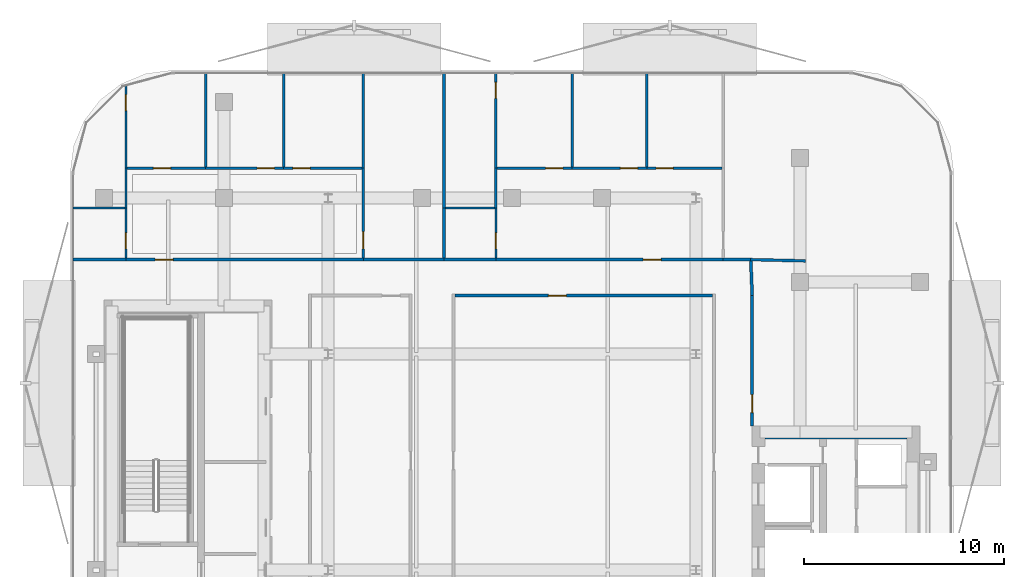
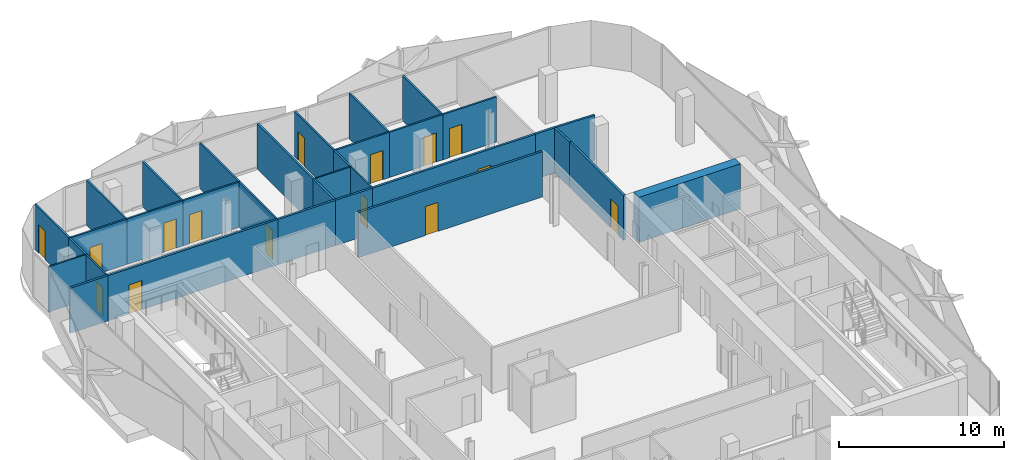
# One storey, part 6 of 15: 33 walls, 15 doors, 15 openings.
"""IFC4 building model written with IfcOpenShell, lengths in metres."""

from ifc_helpers import new_model, si_unit, direction, frame, frame_2d, origin, place, context, subcontext, project, spatial, rectangle, extrude, material, layer, layer_set, type_object, element, fill, save


model = new_model("IFC4")

# Units and contexts
model_context = context("Model", 3, precision=1e-05, world=origin(), true_north=direction((0.0, 1.0)))
body_context = subcontext(model_context, "Body", "Model", "MODEL_VIEW")
ifc_project = project(units=[si_unit("LENGTHUNIT", "METRE"), si_unit("AREAUNIT", "SQUARE_METRE"), si_unit("VOLUMEUNIT", "CUBIC_METRE"), si_unit("PLANEANGLEUNIT", "RADIAN"), si_unit("MASSUNIT", "GRAM", prefix="KILO")], contexts=[model_context])

# Site, building, storey
site_placement = place(None, origin())
site = spatial("IfcSite", under=ifc_project, at=site_placement, CompositionType="ELEMENT")
building_placement = place(site_placement, origin())
building = spatial("IfcBuilding", under=site, at=building_placement, Name="Khairoan Windgate Tower", CompositionType="ELEMENT")
storey_placement = place(building_placement, frame((0.0, 0.0, 226.0)))
storey = spatial("IfcBuildingStorey", under=building, at=storey_placement, Name="L52", CompositionType="ELEMENT", Elevation=226.0)

# Wall
ifc_material_1 = material(Name="Moisture-Resistant Gypsum Partition", Category="gypsum")
ifc_layer_1 = layer(ifc_material_1, 0.10009765625, Name="Moisture-Resistant Gypsum Partition")
ifc_layer_set_1 = layer_set([ifc_layer_1], Name="Moisture-Resistant Gypsum Partition")
wall_type_1 = type_object("IfcWallType", Name="Bathroom Wet-Area Partition Wall", PredefinedType="PARTITIONING", material=ifc_layer_set_1)
wall_1_placement = place(storey_placement, frame((-21.955078125, 18.10009765625, 0.0), z_axis=(0.0, 0.0, 1.0), x_axis=(1.0, 0.0, 0.0)))
element("IfcWall", 1, at=wall_1_placement, inside=storey, type_object=wall_type_1, Name="L52 Interior Partition 039", PredefinedType="PARTITIONING", context=body_context, shape_type="SweptSolid", body=[
    extrude(rectangle(XDim=2.594970703125, YDim=0.10009765625, at=frame_2d((1.29736328125, 0.0))), origin(), (0.0, 0.0, 1.0), 3.340087890625),
])

# Wall, opening, door
wall_2_placement = place(storey_placement, frame((-19.31005859375, 15.60009765625, 0.0), z_axis=(0.0, 0.0, 1.0), x_axis=(0.0, 1.0, 0.0)))
wall_2 = element("IfcWall", 2, at=wall_2_placement, inside=storey, type_object=wall_type_1, Name="L52 Interior Partition 040", PredefinedType="PARTITIONING", context=body_context, shape_type="SweptSolid", body=[
    extrude(rectangle(XDim=2.5, YDim=0.10009765625, at=frame_2d((1.25, 0.0))), origin(), (0.0, 0.0, 1.0), 3.340087890625),
])
opening_1_placement = place(wall_2_placement, frame((0.4599609375, 0.0, 0.0)))
opening_1 = element("IfcOpeningElement", 3, at=opening_1_placement, cuts=wall_2, Name="Opening ID-BTH", PredefinedType="OPENING", context=body_context, shape_type="SweptSolid", body=[
    extrude(rectangle(XDim=0.800048828125, YDim=2.10009765625, at=frame_2d((0.39990234375, 1.050048828125))), frame((0.0, 0.06005859375, 0.0), z_axis=(0.0, -1.0, 0.0), x_axis=(1.0, 0.0, 0.0)), (0.0, 0.0, 1.0), 0.1201171875),
])
ifc_material_2 = material(Name="Teak Veneer Timber Leaf", Category="wood")
door_type_1 = type_object("IfcDoorType", Name="Internal Bathroom Door ID-BTH 800x2100", OperationType="NOTDEFINED", PredefinedType="DOOR", material=ifc_material_2)
door_1_placement = place(opening_1_placement, origin())
door_1 = element("IfcDoor", 4, at=door_1_placement, inside=storey, type_object=door_type_1, Name="L52 L52-33-L52-35 Door", OperationType="SINGLE_SWING_LEFT", OverallHeight=2.10009765625, OverallWidth=0.800048828125, PredefinedType="DOOR", context=body_context, shape_type="SweptSolid", body=[
    extrude(rectangle(XDim=0.800048828125, YDim=2.10009765625, at=frame_2d((0.39990234375, 1.050048828125))), frame((0.0, 0.02490234375, 0.0), z_axis=(0.0, -1.0, 0.0), x_axis=(1.0, 0.0, 0.0)), (0.0, 0.0, 1.0), 0.050048828125),
])
fill(opening_1, door_1)

# Wall
wall_3_placement = place(storey_placement, frame((-3.330078125, 18.10009765625, 0.0), z_axis=(0.0, 0.0, 1.0), x_axis=(1.0, 0.0, 0.0)))
element("IfcWall", 5, at=wall_3_placement, inside=storey, type_object=wall_type_1, Name="L52 Interior Partition 052", PredefinedType="PARTITIONING", context=body_context, shape_type="SweptSolid", body=[
    extrude(rectangle(XDim=2.469970703125, YDim=0.10009765625, at=frame_2d((1.23486328125, 0.0))), origin(), (0.0, 0.0, 1.0), 3.340087890625),
])

# Wall, opening, door
wall_4_placement = place(storey_placement, frame((-0.81005859375, 15.60009765625, 0.0), z_axis=(0.0, 0.0, 1.0), x_axis=(0.0, 1.0, 0.0)))
wall_4 = element("IfcWall", 6, at=wall_4_placement, inside=storey, type_object=wall_type_1, Name="L52 Interior Partition 053", PredefinedType="PARTITIONING", context=body_context, shape_type="SweptSolid", body=[
    extrude(rectangle(XDim=2.5, YDim=0.10009765625, at=frame_2d((1.25, 0.0))), origin(), (0.0, 0.0, 1.0), 3.340087890625),
])
opening_2_placement = place(wall_4_placement, frame((0.4599609375, 0.0, 0.0)))
opening_2 = element("IfcOpeningElement", 7, at=opening_2_placement, cuts=wall_4, Name="Opening ID-BTH", PredefinedType="OPENING", context=body_context, shape_type="SweptSolid", body=[
    extrude(rectangle(XDim=0.800048828125, YDim=2.10009765625, at=frame_2d((0.39990234375, 1.050048828125))), frame((0.0, 0.06005859375, 0.0), z_axis=(0.0, -1.0, 0.0), x_axis=(1.0, 0.0, 0.0)), (0.0, 0.0, 1.0), 0.1201171875),
])
door_2_placement = place(opening_2_placement, origin())
door_2 = element("IfcDoor", 8, at=door_2_placement, inside=storey, type_object=door_type_1, Name="L52 L52-40-L52-42 Door", OperationType="SINGLE_SWING_LEFT", OverallHeight=2.10009765625, OverallWidth=0.800048828125, PredefinedType="DOOR", context=body_context, shape_type="SweptSolid", body=[
    extrude(rectangle(XDim=0.800048828125, YDim=2.10009765625, at=frame_2d((0.39990234375, 1.050048828125))), frame((0.0, 0.02490234375, 0.0), z_axis=(0.0, -1.0, 0.0), x_axis=(1.0, 0.0, 0.0)), (0.0, 0.0, 1.0), 0.050048828125),
])
fill(opening_2, door_2)

# Walls
ifc_material_3 = material(Name="Acoustic Fire-Rated Gypsum Partition", Category="gypsum")
ifc_layer_2 = layer(ifc_material_3, 0.139892578125, Name="Acoustic Fire-Rated Gypsum Partition")
ifc_layer_set_2 = layer_set([ifc_layer_2], Name="Acoustic Fire-Rated Gypsum Partition")
wall_type_2 = type_object("IfcWallType", Name="Inter-Tenancy Compartment Wall", PredefinedType="PARTITIONING", material=ifc_layer_set_2)
wall_5_placement = place(storey_placement, frame((-3.39990234375, 15.60009765625, 0.0), z_axis=(0.0, 0.0, 1.0), x_axis=(0.0, 1.0, 0.0)))
element("IfcWall", 9, at=wall_5_placement, inside=storey, type_object=wall_type_2, Name="L52 Interior Partition 048", PredefinedType="PARTITIONING", context=body_context, shape_type="SweptSolid", body=[
    extrude(rectangle(XDim=2.5, YDim=0.139892578125, at=frame_2d((1.25, 0.0))), origin(), (0.0, 0.0, 1.0), 3.340087890625),
])
wall_6_placement = place(storey_placement, frame((-3.39990234375, 18.10009765625, 0.0), z_axis=(0.0, 0.0, 1.0), x_axis=(0.0, 1.0, 0.0)))
element("IfcWall", 10, at=wall_6_placement, inside=storey, type_object=wall_type_2, Name="L52 Interior Partition 049", PredefinedType="PARTITIONING", context=body_context, shape_type="SweptSolid", body=[
    extrude(rectangle(XDim=6.7548828125, YDim=0.139892578125, at=frame_2d((3.37744140625, 0.0))), origin(), (0.0, 0.0, 1.0), 3.340087890625),
])
wall_7_placement = place(storey_placement, frame((11.93994140625, 15.52490234375, 0.0), z_axis=(0.0, 0.0, 1.0), x_axis=(0.999719241816, -0.023694673289, 0.0)))
element("IfcWall", 11, at=wall_7_placement, inside=storey, type_object=wall_type_2, Name="L52 Interior Partition 061", PredefinedType="PARTITIONING", context=body_context, shape_type="SweptSolid", body=[
    extrude(rectangle(XDim=2.74072265625, YDim=0.139892578125, at=frame_2d((1.370361328125, 0.0))), origin(), (0.0, 0.0, 1.0), 3.340087890625),
])
ifc_material_4 = material(Name="Gypsum Stud Partition", Category="gypsum")
ifc_layer_3 = layer(ifc_material_4, 0.1201171875, Name="Gypsum Stud Partition")
ifc_layer_set_3 = layer_set([ifc_layer_3], Name="Gypsum Stud Partition")
wall_type_3 = type_object("IfcWallType", Name="Internal Room Partition Wall", PredefinedType="PARTITIONING", material=ifc_layer_set_3)
wall_8_placement = place(storey_placement, frame((-19.31005859375, 18.10009765625, 0.0), z_axis=(0.0, 0.0, 1.0), x_axis=(0.0, 1.0, 0.0)))
element("IfcWall", 12, at=wall_8_placement, inside=storey, type_object=wall_type_3, Name="L52 Interior Partition 041", PredefinedType="PARTITIONING", context=body_context, shape_type="SweptSolid", body=[
    extrude(rectangle(XDim=2.0, YDim=0.1201171875, at=frame_2d((1.0, 0.0))), origin(), (0.0, 0.0, 1.0), 3.340087890625),
])

# Wall, opening, door
wall_9_placement = place(storey_placement, frame((-19.31005859375, 20.10009765625, 0.0), z_axis=(0.0, 0.0, 1.0), x_axis=(0.0, 1.0, 0.0)))
wall_9 = element("IfcWall", 13, at=wall_9_placement, inside=storey, type_object=wall_type_3, Name="L52 Interior Partition 042", PredefinedType="PARTITIONING", context=body_context, shape_type="SweptSolid", body=[
    extrude(rectangle(XDim=4.134521484375, YDim=0.1201171875, at=frame_2d((2.0673828125, 0.0))), origin(), (0.0, 0.0, 1.0), 3.340087890625),
])
opening_3_placement = place(wall_9_placement, frame((2.874755859375, 0.0, 0.0)))
opening_3 = element("IfcOpeningElement", 14, at=opening_3_placement, cuts=wall_9, Name="Opening ID-BTH", PredefinedType="OPENING", context=body_context, shape_type="SweptSolid", body=[
    extrude(rectangle(XDim=0.800048828125, YDim=2.10009765625, at=frame_2d((0.39990234375, 1.050048828125))), frame((0.0, 0.070068359375, 0.0), z_axis=(0.0, -1.0, 0.0), x_axis=(1.0, 0.0, 0.0)), (0.0, 0.0, 1.0), 0.14013671875),
])
door_3_placement = place(opening_3_placement, origin())
door_3 = element("IfcDoor", 15, at=door_3_placement, inside=storey, type_object=door_type_1, Name="L52 L52-34-L52-37 Door", OperationType="SINGLE_SWING_LEFT", OverallHeight=2.10009765625, OverallWidth=0.800048828125, PredefinedType="DOOR", context=body_context, shape_type="SweptSolid", body=[
    extrude(rectangle(XDim=0.800048828125, YDim=2.10009765625, at=frame_2d((0.39990234375, 1.050048828125))), frame((0.0, 0.02490234375, 0.0), z_axis=(0.0, -1.0, 0.0), x_axis=(1.0, 0.0, 0.0)), (0.0, 0.0, 1.0), 0.050048828125),
])
fill(opening_3, door_3)

wall_10_placement = place(storey_placement, frame((-7.43994140625, 15.60009765625, 0.0), z_axis=(0.0, 0.0, 1.0), x_axis=(0.0, 1.0, 0.0)))
wall_10 = element("IfcWall", 16, at=wall_10_placement, inside=storey, type_object=wall_type_3, Name="L52 Interior Partition 043", PredefinedType="PARTITIONING", context=body_context, shape_type="SweptSolid", body=[
    extrude(rectangle(XDim=4.5, YDim=0.1201171875, at=frame_2d((2.25, 0.0))), origin(), (0.0, 0.0, 1.0), 3.340087890625),
])
opening_4_placement = place(wall_10_placement, frame((0.4599609375, 0.0, 0.0)))
opening_4 = element("IfcOpeningElement", 17, at=opening_4_placement, cuts=wall_10, Name="Opening ID-RM", PredefinedType="OPENING", context=body_context, shape_type="SweptSolid", body=[
    extrude(rectangle(XDim=0.860107421875, YDim=2.14990234375, at=frame_2d((0.43017578125, 1.074951171875))), frame((0.0, 0.070068359375, 0.0), z_axis=(0.0, -1.0, 0.0), x_axis=(1.0, 0.0, 0.0)), (0.0, 0.0, 1.0), 0.14013671875),
])
ifc_material_5 = material(Name="Teak Veneer Timber Leaf", Category="wood")
door_type_2 = type_object("IfcDoorType", Name="Internal Bedroom and Office Door ID-RM 860x2150", OperationType="NOTDEFINED", PredefinedType="DOOR", material=ifc_material_5)
door_4_placement = place(opening_4_placement, origin())
door_4 = element("IfcDoor", 18, at=door_4_placement, inside=storey, type_object=door_type_2, Name="L52 L52-35-L52-36 Door", OperationType="SINGLE_SWING_LEFT", OverallHeight=2.14990234375, OverallWidth=0.860107421875, PredefinedType="DOOR", context=body_context, shape_type="SweptSolid", body=[
    extrude(rectangle(XDim=0.860107421875, YDim=2.14990234375, at=frame_2d((0.43017578125, 1.074951171875))), frame((0.0, 0.02490234375, 0.0), z_axis=(0.0, -1.0, 0.0), x_axis=(1.0, 0.0, 0.0)), (0.0, 0.0, 1.0), 0.050048828125),
])
fill(opening_4, door_4)

wall_11_placement = place(storey_placement, frame((-19.25, 20.10009765625, 0.0), z_axis=(0.0, 0.0, 1.0), x_axis=(1.0, 0.0, 0.0)))
wall_11 = element("IfcWall", 19, at=wall_11_placement, inside=storey, type_object=wall_type_3, Name="L52 Interior Partition 044", PredefinedType="PARTITIONING", context=body_context, shape_type="SweptSolid", body=[
    extrude(rectangle(XDim=3.923095703125, YDim=0.1201171875, at=frame_2d((1.96142578125, 0.0))), origin(), (0.0, 0.0, 1.0), 3.340087890625),
])
opening_5_placement = place(wall_11_placement, frame((1.317138671875, 0.0, 0.0)))
opening_5 = element("IfcOpeningElement", 20, at=opening_5_placement, cuts=wall_11, Name="Opening ID-RM", PredefinedType="OPENING", context=body_context, shape_type="SweptSolid", body=[
    extrude(rectangle(XDim=0.860107421875, YDim=2.14990234375, at=frame_2d((0.43017578125, 1.074951171875))), frame((0.0, 0.070068359375, 0.0), z_axis=(0.0, -1.0, 0.0), x_axis=(1.0, 0.0, 0.0)), (0.0, 0.0, 1.0), 0.14013671875),
])
door_5_placement = place(opening_5_placement, origin())
door_5 = element("IfcDoor", 21, at=door_5_placement, inside=storey, type_object=door_type_2, Name="L52 L52-35-L52-37 Door", OperationType="SINGLE_SWING_RIGHT", OverallHeight=2.14990234375, OverallWidth=0.860107421875, PredefinedType="DOOR", context=body_context, shape_type="SweptSolid", body=[
    extrude(rectangle(XDim=0.860107421875, YDim=2.14990234375, at=frame_2d((0.43017578125, 1.074951171875))), frame((0.0, 0.02490234375, 0.0), z_axis=(0.0, -1.0, 0.0), x_axis=(1.0, 0.0, 0.0)), (0.0, 0.0, 1.0), 0.050048828125),
])
fill(opening_5, door_5)

wall_12_placement = place(storey_placement, frame((-15.326904296875, 20.10009765625, 0.0), z_axis=(0.0, 0.0, 1.0), x_axis=(1.0, 0.0, 0.0)))
wall_12 = element("IfcWall", 22, at=wall_12_placement, inside=storey, type_object=wall_type_3, Name="L52 Interior Partition 045", PredefinedType="PARTITIONING", context=body_context, shape_type="SweptSolid", body=[
    extrude(rectangle(XDim=3.90380859375, YDim=0.1201171875, at=frame_2d((1.951904296875, 0.0))), origin(), (0.0, 0.0, 1.0), 3.340087890625),
])
opening_6_placement = place(wall_12_placement, frame((2.583984375, 0.0, 0.0)))
opening_6 = element("IfcOpeningElement", 23, at=opening_6_placement, cuts=wall_12, Name="Opening ID-RM", PredefinedType="OPENING", context=body_context, shape_type="SweptSolid", body=[
    extrude(rectangle(XDim=0.860107421875, YDim=2.14990234375, at=frame_2d((0.43017578125, 1.074951171875))), frame((0.0, 0.070068359375, 0.0), z_axis=(0.0, -1.0, 0.0), x_axis=(1.0, 0.0, 0.0)), (0.0, 0.0, 1.0), 0.14013671875),
])
door_6_placement = place(opening_6_placement, origin())
door_6 = element("IfcDoor", 24, at=door_6_placement, inside=storey, type_object=door_type_2, Name="L52 L52-35-L52-38 Door", OperationType="SINGLE_SWING_LEFT", OverallHeight=2.14990234375, OverallWidth=0.860107421875, PredefinedType="DOOR", context=body_context, shape_type="SweptSolid", body=[
    extrude(rectangle(XDim=0.860107421875, YDim=2.14990234375, at=frame_2d((0.43017578125, 1.074951171875))), frame((0.0, 0.02490234375, 0.0), z_axis=(0.0, -1.0, 0.0), x_axis=(1.0, 0.0, 0.0)), (0.0, 0.0, 1.0), 0.050048828125),
])
fill(opening_6, door_6)

wall_13_placement = place(storey_placement, frame((-11.423095703125, 20.10009765625, 0.0), z_axis=(0.0, 0.0, 1.0), x_axis=(1.0, 0.0, 0.0)))
wall_13 = element("IfcWall", 25, at=wall_13_placement, inside=storey, type_object=wall_type_3, Name="L52 Interior Partition 046", PredefinedType="PARTITIONING", context=body_context, shape_type="SweptSolid", body=[
    extrude(rectangle(XDim=3.923095703125, YDim=0.1201171875, at=frame_2d((1.96142578125, 0.0))), origin(), (0.0, 0.0, 1.0), 3.340087890625),
])
opening_7_placement = place(wall_13_placement, frame((0.4599609375, 0.0, 0.0)))
opening_7 = element("IfcOpeningElement", 26, at=opening_7_placement, cuts=wall_13, Name="Opening ID-RM", PredefinedType="OPENING", context=body_context, shape_type="SweptSolid", body=[
    extrude(rectangle(XDim=0.860107421875, YDim=2.14990234375, at=frame_2d((0.43017578125, 1.074951171875))), frame((0.0, 0.070068359375, 0.0), z_axis=(0.0, -1.0, 0.0), x_axis=(1.0, 0.0, 0.0)), (0.0, 0.0, 1.0), 0.14013671875),
])
door_7_placement = place(opening_7_placement, origin())
door_7 = element("IfcDoor", 27, at=door_7_placement, inside=storey, type_object=door_type_2, Name="L52 L52-35-L52-39 Door", OperationType="SINGLE_SWING_RIGHT", OverallHeight=2.14990234375, OverallWidth=0.860107421875, PredefinedType="DOOR", context=body_context, shape_type="SweptSolid", body=[
    extrude(rectangle(XDim=0.860107421875, YDim=2.14990234375, at=frame_2d((0.43017578125, 1.074951171875))), frame((0.0, 0.02490234375, 0.0), z_axis=(0.0, -1.0, 0.0), x_axis=(1.0, 0.0, 0.0)), (0.0, 0.0, 1.0), 0.050048828125),
])
fill(opening_7, door_7)

# Walls
wall_14_placement = place(storey_placement, frame((-7.43994140625, 20.10009765625, 0.0), z_axis=(0.0, 0.0, 1.0), x_axis=(0.0, 1.0, 0.0)))
element("IfcWall", 28, at=wall_14_placement, inside=storey, type_object=wall_type_3, Name="L52 Interior Partition 047", PredefinedType="PARTITIONING", context=body_context, shape_type="SweptSolid", body=[
    extrude(rectangle(XDim=4.7548828125, YDim=0.1201171875, at=frame_2d((2.37744140625, 0.0))), origin(), (0.0, 0.0, 1.0), 3.340087890625),
])
for number, where, z_axis, x_axis, name in (
    (29, (-15.326904296875, 20.159912109375, 0.0), (0.0, 0.0, 1.0), (0.0, 1.0, 0.0), "L52 Interior Partition 050"),
    (30, (-11.423095703125, 20.159912109375, 0.0), (0.0, 0.0, 1.0), (0.0, 1.0, 0.0), "L52 Interior Partition 051"),
):
    element("IfcWall", number, at=place(storey_placement, frame(where, z_axis=z_axis, x_axis=x_axis)), inside=storey, type_object=wall_type_3, Name=name, PredefinedType="PARTITIONING", context=body_context, shape_type="SweptSolid", body=[
        extrude(rectangle(XDim=4.695068359375, YDim=0.1201171875, at=frame_2d((2.34765625, 0.0))), origin(), (0.0, 0.0, 1.0), 3.340087890625),
    ])
wall_15_placement = place(storey_placement, frame((-0.81005859375, 18.10009765625, 0.0), z_axis=(0.0, 0.0, 1.0), x_axis=(0.0, 1.0, 0.0)))
element("IfcWall", 31, at=wall_15_placement, inside=storey, type_object=wall_type_3, Name="L52 Interior Partition 054", PredefinedType="PARTITIONING", context=body_context, shape_type="SweptSolid", body=[
    extrude(rectangle(XDim=2.0, YDim=0.1201171875, at=frame_2d((1.0, 0.0))), origin(), (0.0, 0.0, 1.0), 3.340087890625),
])

# Wall, opening, door
wall_16_placement = place(storey_placement, frame((-0.81005859375, 20.10009765625, 0.0), z_axis=(0.0, 0.0, 1.0), x_axis=(0.0, 1.0, 0.0)))
wall_16 = element("IfcWall", 32, at=wall_16_placement, inside=storey, type_object=wall_type_3, Name="L52 Interior Partition 055", PredefinedType="PARTITIONING", context=body_context, shape_type="SweptSolid", body=[
    extrude(rectangle(XDim=4.7548828125, YDim=0.1201171875, at=frame_2d((2.37744140625, 0.0))), origin(), (0.0, 0.0, 1.0), 3.340087890625),
])
opening_8_placement = place(wall_16_placement, frame((3.4951171875, 0.0, 0.0)))
opening_8 = element("IfcOpeningElement", 33, at=opening_8_placement, cuts=wall_16, Name="Opening ID-BTH", PredefinedType="OPENING", context=body_context, shape_type="SweptSolid", body=[
    extrude(rectangle(XDim=0.800048828125, YDim=2.10009765625, at=frame_2d((0.39990234375, 1.050048828125))), frame((0.0, 0.070068359375, 0.0), z_axis=(0.0, -1.0, 0.0), x_axis=(1.0, 0.0, 0.0)), (0.0, 0.0, 1.0), 0.14013671875),
])
door_8_placement = place(opening_8_placement, origin())
door_8 = element("IfcDoor", 34, at=door_8_placement, inside=storey, type_object=door_type_1, Name="L52 L52-41-L52-44 Door", OperationType="SINGLE_SWING_RIGHT", OverallHeight=2.10009765625, OverallWidth=0.800048828125, PredefinedType="DOOR", context=body_context, shape_type="SweptSolid", body=[
    extrude(rectangle(XDim=0.800048828125, YDim=2.10009765625, at=frame_2d((0.39990234375, 1.050048828125))), frame((0.0, 0.02490234375, 0.0), z_axis=(0.0, -1.0, 0.0), x_axis=(1.0, 0.0, 0.0)), (0.0, 0.0, 1.0), 0.050048828125),
])
fill(opening_8, door_8)

wall_17_placement = place(storey_placement, frame((-0.75, 20.10009765625, 0.0), z_axis=(0.0, 0.0, 1.0), x_axis=(1.0, 0.0, 0.0)))
wall_17 = element("IfcWall", 35, at=wall_17_placement, inside=storey, type_object=wall_type_3, Name="L52 Interior Partition 057", PredefinedType="PARTITIONING", context=body_context, shape_type="SweptSolid", body=[
    extrude(rectangle(XDim=3.757080078125, YDim=0.1201171875, at=frame_2d((1.87841796875, 0.0))), origin(), (0.0, 0.0, 1.0), 3.340087890625),
])
opening_9_placement = place(wall_17_placement, frame((2.43701171875, 0.0, 0.0)))
opening_9 = element("IfcOpeningElement", 36, at=opening_9_placement, cuts=wall_17, Name="Opening ID-RM", PredefinedType="OPENING", context=body_context, shape_type="SweptSolid", body=[
    extrude(rectangle(XDim=0.860107421875, YDim=2.14990234375, at=frame_2d((0.43017578125, 1.074951171875))), frame((0.0, 0.070068359375, 0.0), z_axis=(0.0, -1.0, 0.0), x_axis=(1.0, 0.0, 0.0)), (0.0, 0.0, 1.0), 0.14013671875),
])
door_9_placement = place(opening_9_placement, origin())
door_9 = element("IfcDoor", 37, at=door_9_placement, inside=storey, type_object=door_type_2, Name="L52 L52-42-L52-44 Door", OperationType="SINGLE_SWING_RIGHT", OverallHeight=2.14990234375, OverallWidth=0.860107421875, PredefinedType="DOOR", context=body_context, shape_type="SweptSolid", body=[
    extrude(rectangle(XDim=0.860107421875, YDim=2.14990234375, at=frame_2d((0.43017578125, 1.074951171875))), frame((0.0, 0.02490234375, 0.0), z_axis=(0.0, -1.0, 0.0), x_axis=(1.0, 0.0, 0.0)), (0.0, 0.0, 1.0), 0.050048828125),
])
fill(opening_9, door_9)

wall_18_placement = place(storey_placement, frame((3.007080078125, 20.10009765625, 0.0), z_axis=(0.0, 0.0, 1.0), x_axis=(1.0, 0.0, 0.0)))
wall_18 = element("IfcWall", 38, at=wall_18_placement, inside=storey, type_object=wall_type_3, Name="L52 Interior Partition 058", PredefinedType="PARTITIONING", context=body_context, shape_type="SweptSolid", body=[
    extrude(rectangle(XDim=3.73583984375, YDim=0.1201171875, at=frame_2d((1.867919921875, 0.0))), origin(), (0.0, 0.0, 1.0), 3.340087890625),
])
opening_10_placement = place(wall_18_placement, frame((2.416015625, 0.0, 0.0)))
opening_10 = element("IfcOpeningElement", 39, at=opening_10_placement, cuts=wall_18, Name="Opening ID-RM", PredefinedType="OPENING", context=body_context, shape_type="SweptSolid", body=[
    extrude(rectangle(XDim=0.860107421875, YDim=2.14990234375, at=frame_2d((0.43017578125, 1.074951171875))), frame((0.0, 0.070068359375, 0.0), z_axis=(0.0, -1.0, 0.0), x_axis=(1.0, 0.0, 0.0)), (0.0, 0.0, 1.0), 0.14013671875),
])
door_10_placement = place(opening_10_placement, origin())
door_10 = element("IfcDoor", 40, at=door_10_placement, inside=storey, type_object=door_type_2, Name="L52 L52-42-L52-45 Door", OperationType="SINGLE_SWING_LEFT", OverallHeight=2.14990234375, OverallWidth=0.860107421875, PredefinedType="DOOR", context=body_context, shape_type="SweptSolid", body=[
    extrude(rectangle(XDim=0.860107421875, YDim=2.14990234375, at=frame_2d((0.43017578125, 1.074951171875))), frame((0.0, 0.02490234375, 0.0), z_axis=(0.0, -1.0, 0.0), x_axis=(1.0, 0.0, 0.0)), (0.0, 0.0, 1.0), 0.050048828125),
])
fill(opening_10, door_10)

wall_19_placement = place(storey_placement, frame((6.742919921875, 20.10009765625, 0.0), z_axis=(0.0, 0.0, 1.0), x_axis=(1.0, 0.0, 0.0)))
wall_19 = element("IfcWall", 41, at=wall_19_placement, inside=storey, type_object=wall_type_3, Name="L52 Interior Partition 059", PredefinedType="PARTITIONING", context=body_context, shape_type="SweptSolid", body=[
    extrude(rectangle(XDim=3.757080078125, YDim=0.1201171875, at=frame_2d((1.87841796875, 0.0))), origin(), (0.0, 0.0, 1.0), 3.340087890625),
])
opening_11_placement = place(wall_19_placement, frame((0.4599609375, 0.0, 0.0)))
opening_11 = element("IfcOpeningElement", 42, at=opening_11_placement, cuts=wall_19, Name="Opening ID-RM", PredefinedType="OPENING", context=body_context, shape_type="SweptSolid", body=[
    extrude(rectangle(XDim=0.860107421875, YDim=2.14990234375, at=frame_2d((0.43017578125, 1.074951171875))), frame((0.0, 0.070068359375, 0.0), z_axis=(0.0, -1.0, 0.0), x_axis=(1.0, 0.0, 0.0)), (0.0, 0.0, 1.0), 0.14013671875),
])
door_11_placement = place(opening_11_placement, origin())
door_11 = element("IfcDoor", 43, at=door_11_placement, inside=storey, type_object=door_type_2, Name="L52 L52-42-L52-46 Door", OperationType="SINGLE_SWING_RIGHT", OverallHeight=2.14990234375, OverallWidth=0.860107421875, PredefinedType="DOOR", context=body_context, shape_type="SweptSolid", body=[
    extrude(rectangle(XDim=0.860107421875, YDim=2.14990234375, at=frame_2d((0.43017578125, 1.074951171875))), frame((0.0, 0.02490234375, 0.0), z_axis=(0.0, -1.0, 0.0), x_axis=(1.0, 0.0, 0.0)), (0.0, 0.0, 1.0), 0.050048828125),
])
fill(opening_11, door_11)

# Walls
for number, where, z_axis, x_axis, name in (
    (44, (3.007080078125, 20.159912109375, 0.0), (0.0, 0.0, 1.0), (0.0, 1.0, 0.0), "L52 Interior Partition 062"),
    (45, (6.742919921875, 20.159912109375, 0.0), (0.0, 0.0, 1.0), (0.0, 1.0, 0.0), "L52 Interior Partition 063"),
):
    element("IfcWall", number, at=place(storey_placement, frame(where, z_axis=z_axis, x_axis=x_axis)), inside=storey, type_object=wall_type_3, Name=name, PredefinedType="PARTITIONING", context=body_context, shape_type="SweptSolid", body=[
        extrude(rectangle(XDim=4.695068359375, YDim=0.1201171875, at=frame_2d((2.34765625, 0.0))), origin(), (0.0, 0.0, 1.0), 3.340087890625),
    ])

# Wall, opening, door
ifc_material_6 = material(Name="Acoustic Fire-Rated Gypsum Partition", Category="gypsum")
ifc_layer_4 = layer(ifc_material_6, 0.14990234375, Name="Acoustic Fire-Rated Gypsum Partition")
ifc_layer_set_4 = layer_set([ifc_layer_4], Name="Acoustic Fire-Rated Gypsum Partition")
wall_type_4 = type_object("IfcWallType", Name="Rated Corridor Partition Wall", PredefinedType="PARTITIONING", material=ifc_layer_set_4)
wall_20_placement = place(storey_placement, frame((12.014892578125, 7.199951171875, 0.0), z_axis=(0.0, 0.0, 1.0), x_axis=(0.0, 1.0, 0.0)))
wall_20 = element("IfcWall", 46, at=wall_20_placement, inside=storey, type_object=wall_type_4, Name="L52 Interior Partition 014", PredefinedType="PARTITIONING", context=body_context, shape_type="SweptSolid", body=[
    extrude(rectangle(XDim=6.52001953125, YDim=0.14990234375, at=frame_2d((3.260009765625, 0.0))), origin(), (0.0, 0.0, 1.0), 3.340087890625),
])
opening_12_placement = place(wall_20_placement, frame((0.669921875, 0.0, 0.0)))
opening_12 = element("IfcOpeningElement", 47, at=opening_12_placement, cuts=wall_20, Name="Opening FD-ENT", PredefinedType="OPENING", context=body_context, shape_type="SweptSolid", body=[
    extrude(rectangle(XDim=0.89990234375, YDim=2.14990234375, at=frame_2d((0.449951171875, 1.074951171875))), frame((0.0, 0.0849609375, 0.0), z_axis=(0.0, -1.0, 0.0), x_axis=(1.0, 0.0, 0.0)), (0.0, 0.0, 1.0), 0.169921875),
])
ifc_material_7 = material(Name="Timber Fire-Rated Core", Category="wood")
door_type_3 = type_object("IfcDoorType", Name="Unit and Office Fire Entrance Door FD-ENT 900x2150", OperationType="NOTDEFINED", PredefinedType="DOOR", material=ifc_material_7)
door_12_placement = place(opening_12_placement, origin())
door_12 = element("IfcDoor", 48, at=door_12_placement, inside=storey, type_object=door_type_3, Name="L52 L52-28-L52-61 Door", OperationType="SINGLE_SWING_LEFT", OverallHeight=2.14990234375, OverallWidth=0.89990234375, PredefinedType="DOOR", context=body_context, shape_type="SweptSolid", body=[
    extrude(rectangle(XDim=0.89990234375, YDim=2.14990234375, at=frame_2d((0.449951171875, 1.074951171875))), frame((0.0, 0.02490234375, 0.0), z_axis=(0.0, -1.0, 0.0), x_axis=(1.0, 0.0, 0.0)), (0.0, 0.0, 1.0), 0.050048828125),
])
fill(opening_12, door_12)

# Wall
wall_21_placement = place(storey_placement, frame((-21.955078125, 15.52490234375, 0.0), z_axis=(0.0, 0.0, 1.0), x_axis=(1.0, 0.0, 0.0)))
element("IfcWall", 49, at=wall_21_placement, inside=storey, type_object=wall_type_4, Name="L52 Interior Partition 023", PredefinedType="PARTITIONING", context=body_context, shape_type="SweptSolid", body=[
    extrude(rectangle(XDim=2.64501953125, YDim=0.14990234375, at=frame_2d((1.322509765625, 0.0))), origin(), (0.0, 0.0, 1.0), 3.340087890625),
])

# Wall, opening, door
wall_22_placement = place(storey_placement, frame((-19.31005859375, 15.52490234375, 0.0), z_axis=(0.0, 0.0, 1.0), x_axis=(1.0, 0.0, 0.0)))
wall_22 = element("IfcWall", 50, at=wall_22_placement, inside=storey, type_object=wall_type_4, Name="L52 Interior Partition 024", PredefinedType="PARTITIONING", context=body_context, shape_type="SweptSolid", body=[
    extrude(rectangle(XDim=11.8701171875, YDim=0.14990234375, at=frame_2d((5.93505859375, 0.0))), origin(), (0.0, 0.0, 1.0), 3.340087890625),
])
opening_13_placement = place(wall_22_placement, frame((1.465087890625, 0.0, 0.0)))
opening_13 = element("IfcOpeningElement", 51, at=opening_13_placement, cuts=wall_22, Name="Opening FD-ENT", PredefinedType="OPENING", context=body_context, shape_type="SweptSolid", body=[
    extrude(rectangle(XDim=0.89990234375, YDim=2.14990234375, at=frame_2d((0.449951171875, 1.074951171875))), frame((0.0, 0.0849609375, 0.0), z_axis=(0.0, -1.0, 0.0), x_axis=(1.0, 0.0, 0.0)), (0.0, 0.0, 1.0), 0.169921875),
])
door_13_placement = place(opening_13_placement, origin())
door_13 = element("IfcDoor", 52, at=door_13_placement, inside=storey, type_object=door_type_3, Name="L52 L52-31-L52-35 Door", OperationType="SINGLE_SWING_RIGHT", OverallHeight=2.14990234375, OverallWidth=0.89990234375, PredefinedType="DOOR", context=body_context, shape_type="SweptSolid", body=[
    extrude(rectangle(XDim=0.89990234375, YDim=2.14990234375, at=frame_2d((0.449951171875, 1.074951171875))), frame((0.0, 0.02490234375, 0.0), z_axis=(0.0, -1.0, 0.0), x_axis=(1.0, 0.0, 0.0)), (0.0, 0.0, 1.0), 0.050048828125),
])
fill(opening_13, door_13)

# Walls
wall_23_placement = place(storey_placement, frame((-7.43994140625, 15.52490234375, 0.0), z_axis=(0.0, 0.0, 1.0), x_axis=(1.0, 0.0, 0.0)))
element("IfcWall", 53, at=wall_23_placement, inside=storey, type_object=wall_type_4, Name="L52 Interior Partition 025", PredefinedType="PARTITIONING", context=body_context, shape_type="SweptSolid", body=[
    extrude(rectangle(XDim=4.0400390625, YDim=0.14990234375, at=frame_2d((2.02001953125, 0.0))), origin(), (0.0, 0.0, 1.0), 3.340087890625),
])
wall_24_placement = place(storey_placement, frame((-3.39990234375, 15.52490234375, 0.0), z_axis=(0.0, 0.0, 1.0), x_axis=(1.0, 0.0, 0.0)))
element("IfcWall", 54, at=wall_24_placement, inside=storey, type_object=wall_type_4, Name="L52 Interior Partition 026", PredefinedType="PARTITIONING", context=body_context, shape_type="SweptSolid", body=[
    extrude(rectangle(XDim=2.58984375, YDim=0.14990234375, at=frame_2d((1.294921875, 0.0))), origin(), (0.0, 0.0, 1.0), 3.340087890625),
])

# Wall, opening, door
wall_25_placement = place(storey_placement, frame((-0.81005859375, 15.52490234375, 0.0), z_axis=(0.0, 0.0, 1.0), x_axis=(1.0, 0.0, 0.0)))
wall_25 = element("IfcWall", 55, at=wall_25_placement, inside=storey, type_object=wall_type_4, Name="L52 Interior Partition 027", PredefinedType="PARTITIONING", context=body_context, shape_type="SweptSolid", body=[
    extrude(rectangle(XDim=11.3701171875, YDim=0.14990234375, at=frame_2d((5.68505859375, 0.0))), origin(), (0.0, 0.0, 1.0), 3.340087890625),
])
opening_14_placement = place(wall_25_placement, frame((7.368408203125, 0.0, 0.0)))
opening_14 = element("IfcOpeningElement", 56, at=opening_14_placement, cuts=wall_25, Name="Opening FD-ENT", PredefinedType="OPENING", context=body_context, shape_type="SweptSolid", body=[
    extrude(rectangle(XDim=0.89990234375, YDim=2.14990234375, at=frame_2d((0.449951171875, 1.074951171875))), frame((0.0, 0.0849609375, 0.0), z_axis=(0.0, -1.0, 0.0), x_axis=(1.0, 0.0, 0.0)), (0.0, 0.0, 1.0), 0.169921875),
])
door_14_placement = place(opening_14_placement, origin())
door_14 = element("IfcDoor", 57, at=door_14_placement, inside=storey, type_object=door_type_3, Name="L52 L52-31-L52-42 Door", OperationType="SINGLE_SWING_LEFT", OverallHeight=2.14990234375, OverallWidth=0.89990234375, PredefinedType="DOOR", context=body_context, shape_type="SweptSolid", body=[
    extrude(rectangle(XDim=0.89990234375, YDim=2.14990234375, at=frame_2d((0.449951171875, 1.074951171875))), frame((0.0, 0.02490234375, 0.0), z_axis=(0.0, -1.0, 0.0), x_axis=(1.0, 0.0, 0.0)), (0.0, 0.0, 1.0), 0.050048828125),
])
fill(opening_14, door_14)

# Walls
wall_26_placement = place(storey_placement, frame((10.56005859375, 15.52490234375, 0.0), z_axis=(0.0, 0.0, 1.0), x_axis=(1.0, 0.0, 0.0)))
element("IfcWall", 58, at=wall_26_placement, inside=storey, type_object=wall_type_4, Name="L52 Interior Partition 028", PredefinedType="PARTITIONING", context=body_context, shape_type="SweptSolid", body=[
    extrude(rectangle(XDim=1.3798828125, YDim=0.14990234375, at=frame_2d((0.68994140625, 0.0))), origin(), (0.0, 0.0, 1.0), 3.340087890625),
])
wall_27_placement = place(storey_placement, frame((12.014892578125, 13.719970703125, 0.0), z_axis=(0.0, 0.0, 1.0), x_axis=(-0.040046877756, 0.99919780203, 0.0)))
element("IfcWall", 59, at=wall_27_placement, inside=storey, type_object=wall_type_4, Name="L52 Interior Partition 029", PredefinedType="PARTITIONING", context=body_context, shape_type="SweptSolid", body=[
    extrude(rectangle(XDim=1.7314453125, YDim=0.14990234375, at=frame_2d((0.86572265625, 0.0))), origin(), (0.0, 0.0, 1.0), 3.340087890625),
])

# Wall, opening, door
wall_28_placement = place(storey_placement, frame((-2.860107421875, 13.719970703125, 0.0), z_axis=(0.0, 0.0, 1.0), x_axis=(1.0, 0.0, 0.0)))
wall_28 = element("IfcWall", 60, at=wall_28_placement, inside=storey, type_object=wall_type_4, Name="L52 Interior Partition 031", PredefinedType="PARTITIONING", context=body_context, shape_type="SweptSolid", body=[
    extrude(rectangle(XDim=12.885009765625, YDim=0.14990234375, at=frame_2d((6.4423828125, 0.0))), origin(), (0.0, 0.0, 1.0), 3.340087890625),
])
opening_15_placement = place(wall_28_placement, frame((4.684814453125, 0.0, 0.0)))
opening_15 = element("IfcOpeningElement", 61, at=opening_15_placement, cuts=wall_28, Name="Opening FD-ENT", PredefinedType="OPENING", context=body_context, shape_type="SweptSolid", body=[
    extrude(rectangle(XDim=0.89990234375, YDim=2.14990234375, at=frame_2d((0.449951171875, 1.074951171875))), frame((0.0, 0.0849609375, 0.0), z_axis=(0.0, -1.0, 0.0), x_axis=(1.0, 0.0, 0.0)), (0.0, 0.0, 1.0), 0.169921875),
])
door_15_placement = place(opening_15_placement, origin())
door_15 = element("IfcDoor", 62, at=door_15_placement, inside=storey, type_object=door_type_3, Name="L52 L52-31-L52-64 Door", OperationType="SINGLE_SWING_RIGHT", OverallHeight=2.14990234375, OverallWidth=0.89990234375, PredefinedType="DOOR", context=body_context, shape_type="SweptSolid", body=[
    extrude(rectangle(XDim=0.89990234375, YDim=2.14990234375, at=frame_2d((0.449951171875, 1.074951171875))), frame((0.0, 0.02490234375, 0.0), z_axis=(0.0, -1.0, 0.0), x_axis=(1.0, 0.0, 0.0)), (0.0, 0.0, 1.0), 0.050048828125),
])
fill(opening_15, door_15)

# Wall
ifc_material_8 = material(Name="Concrete C60/75", Category="concrete")
ifc_layer_5 = layer(ifc_material_8, 0.64990234375, Name="Concrete C60/75")
ifc_layer_set_5 = layer_set([ifc_layer_5], Name="Concrete C60/75")
wall_type_5 = type_object("IfcWallType", Name="Shear Wall CW-E2 650mm", PredefinedType="SHEAR", material=ifc_layer_set_5)
wall_29_placement = place(storey_placement, frame((12.64990234375, 6.875, 0.0), z_axis=(0.0, 0.0, 1.0), x_axis=(1.0, 0.0, 0.0)))
element("IfcWall", 63, at=wall_29_placement, inside=storey, type_object=wall_type_5, Name="E Core North Shear Wall L52", PredefinedType="SHEAR", context=body_context, shape_type="SweptSolid", body=[
    extrude(rectangle(XDim=7.10009765625, YDim=0.64990234375, at=frame_2d((3.550048828125, 0.0))), origin(), (0.0, 0.0, 1.0), 3.340087890625),
])

save(model, "model.ifc")
